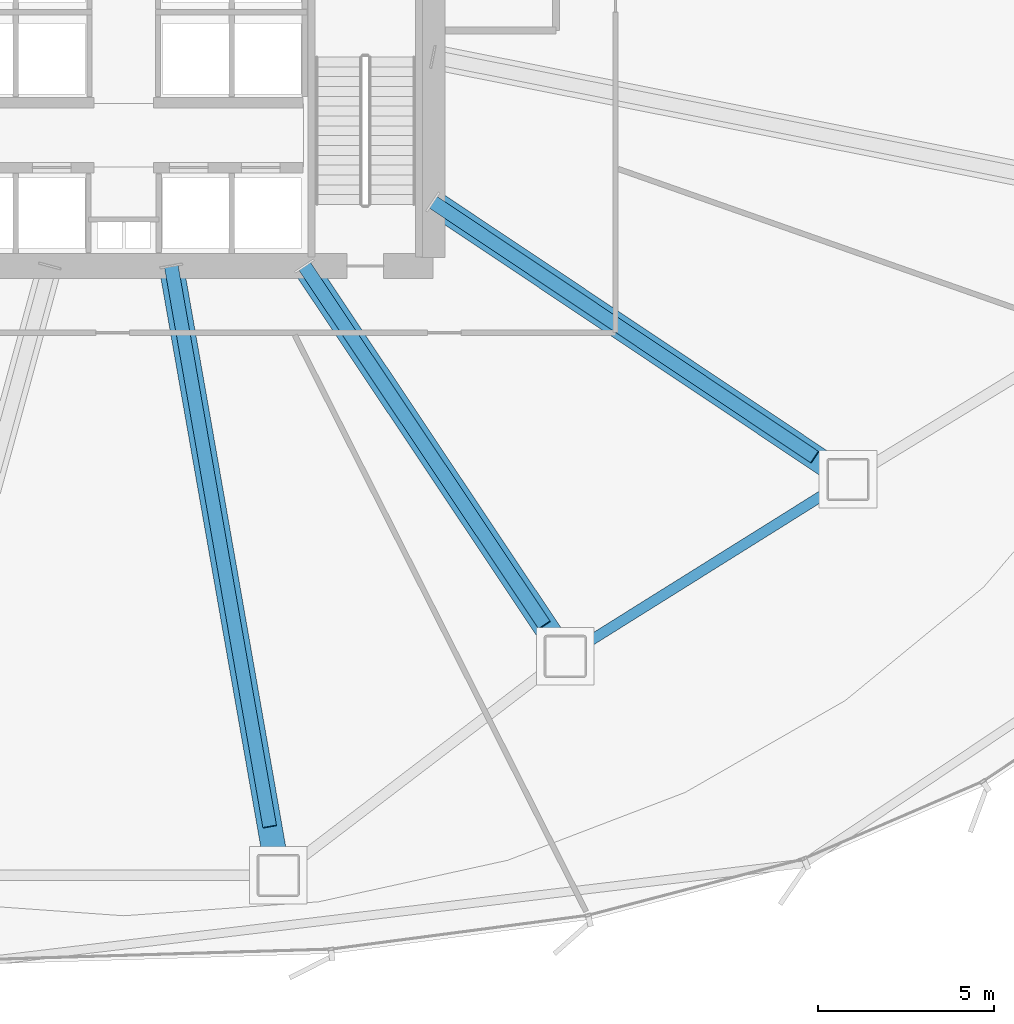
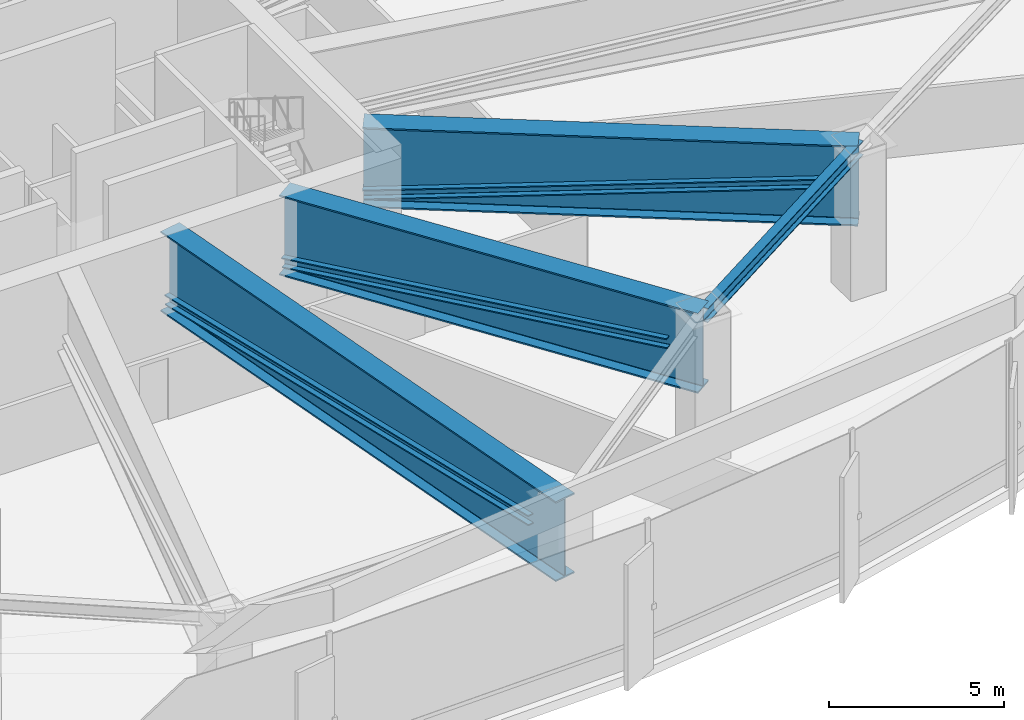
# One storey, part 11 of 36: 4 beams, 3 members.
"""IFC4 building model written with IfcOpenShell, lengths in metres."""

from ifc_helpers import new_model, si_unit, direction, frame, origin, origin_2d, place, context, subcontext, project, spatial, i_section, extrude, source, transform, mapped, material, material_profile, profile_set, type_object, element, save


model = new_model("IFC4")

# Units and contexts
model_context = context("Model", 3, precision=1e-05, world=origin(), true_north=direction((0.0, 1.0)))
body_context = subcontext(model_context, "Body", "Model", "MODEL_VIEW")
ifc_project = project(units=[si_unit("LENGTHUNIT", "METRE"), si_unit("AREAUNIT", "SQUARE_METRE"), si_unit("VOLUMEUNIT", "CUBIC_METRE"), si_unit("PLANEANGLEUNIT", "RADIAN"), si_unit("MASSUNIT", "GRAM", prefix="KILO"), si_unit("THERMODYNAMICTEMPERATUREUNIT", "KELVIN")], contexts=[model_context])

# Site, building, storey
site_placement = place(None, origin())
site = spatial("IfcSite", under=ifc_project, at=site_placement, CompositionType="ELEMENT")
building_placement = place(site_placement, origin())
building = spatial("IfcBuilding", under=site, at=building_placement, Name="Kethvar Cultural Tower", CompositionType="ELEMENT")
storey_placement = place(building_placement, frame((0.0, 0.0, 24.0)))
storey = spatial("IfcBuildingStorey", under=building, at=storey_placement, Name="L05", CompositionType="ELEMENT", Elevation=24.0)

# Beams
ifc_material_1 = material(Name="Steel S355J2", Category="steel")
ifc_material_profile_1 = material_profile(ifc_material_1, i_section(OverallWidth=0.300048828125, OverallDepth=0.5, WebThickness=0.014404296875, FlangeThickness=0.028076171875, FilletRadius=0.027099609375, at=origin_2d()), Name="Steel S355J2 — HEB500")
ifc_profile_set_1 = profile_set([ifc_material_profile_1], Name="Steel S355J2 — HEB500")
beam_type_1 = type_object("IfcBeamType", Name="BM-SP500", PredefinedType="SPANDREL", material=ifc_profile_set_1)
shared_shape_1 = source(origin(), body_context, "Body", "SweptSolid", [
    extrude(i_section(OverallWidth=0.300048828125, OverallDepth=0.5, WebThickness=0.014404296875, FlangeThickness=0.028076171875, FilletRadius=0.027099609375, at=origin_2d()), origin(), (0.0, 0.0, 1.0), 9.493896484375),
])
beam_1_placement = place(storey_placement, frame((59.370361328125, 8.987060546875, 4.865966796875), z_axis=(0.847710685997, 0.530458851228, 0.0), x_axis=(-0.530458851228, 0.847710685997, 0.0)))
element("IfcBeam", 1, at=beam_1_placement, inside=storey, type_object=beam_type_1, Name="L05 Podium Ring Beam 14", PredefinedType="SPANDREL", context=body_context, shape_type="MappedRepresentation", body=[
    mapped(shared_shape_1, transform((0.0, 0.0, 0.0), scale=1.0)),
])
ifc_material_2 = material(Name="Steel S460M", Category="steel")
ifc_material_profile_2 = material_profile(ifc_material_2, i_section(OverallWidth=0.699951171875, OverallDepth=2.800048828125, WebThickness=0.031982421875, FlangeThickness=0.050048828125, FilletRadius=0.02392578125, at=origin_2d()), Name="Steel S460M — PG2800x700x50x32")
ifc_profile_set_2 = profile_set([ifc_material_profile_2], Name="Steel S460M — PG2800x700x50x32")
beam_type_2 = type_object("IfcBeamType", Name="BM-TR2800", PredefinedType="BEAM", material=ifc_profile_set_2)
shared_shape_2 = source(origin(), body_context, "Body", "SweptSolid", [
    extrude(i_section(OverallWidth=0.699951171875, OverallDepth=2.800048828125, WebThickness=0.031982421875, FlangeThickness=0.050048828125, FilletRadius=0.02392578125, at=origin_2d()), origin(), (0.0, 0.0, 1.0), 17.61572265625),
])
beam_2_placement = place(storey_placement, frame((48.152587890625, 20.10009765625, 3.716064453125), z_axis=(0.172991485085, -0.984923319903, 0.0), x_axis=(0.984923319903, 0.172991485085, 0.0)))
element("IfcBeam", 2, at=beam_2_placement, inside=storey, type_object=beam_type_2, Name="L05 Composite Transfer Girder TG-13", PredefinedType="BEAM", context=body_context, shape_type="MappedRepresentation", body=[
    mapped(shared_shape_2, transform((0.0, 0.0, 0.0), scale=1.0)),
])

# Member
ifc_material_profile_3 = material_profile(ifc_material_2, i_section(OverallWidth=0.39306640625, OverallDepth=0.345947265625, WebThickness=0.0244140625, FlangeThickness=0.03759765625, FilletRadius=0.014892578125, at=origin_2d()), Name="Steel S460M — HD400x509")
ifc_profile_set_3 = profile_set([ifc_material_profile_3], Name="Steel S460M — HD400x509")
member_type = type_object("IfcMemberType", Name="MB-TR-DIAG", PredefinedType="BRACE", material=ifc_profile_set_3)
shared_shape_3 = source(origin(), body_context, "Body", "SweptSolid", [
    extrude(i_section(OverallWidth=0.39306640625, OverallDepth=0.345947265625, WebThickness=0.0244140625, FlangeThickness=0.03759765625, FilletRadius=0.014892578125, at=origin_2d()), origin(), (0.0, 0.0, 1.0), 16.236083984375),
])
member_1_placement = place(storey_placement, frame((48.152587890625, 20.10009765625, 2.64990234375), z_axis=(0.172683066472, -0.983123612765, 0.06040298485), x_axis=(0.984922008743, 0.172998949976, 0.0)))
element("IfcMember", 3, at=member_1_placement, inside=storey, type_object=member_type, Name="L05 Transfer Truss Diagonal TD-13", PredefinedType="BRACE", context=body_context, shape_type="MappedRepresentation", body=[
    mapped(shared_shape_3, transform((0.0, 0.0, 0.0), scale=1.0)),
])

# Beam
shared_shape_4 = source(origin(), body_context, "Body", "SweptSolid", [
    extrude(i_section(OverallWidth=0.699951171875, OverallDepth=2.800048828125, WebThickness=0.031982421875, FlangeThickness=0.050048828125, FilletRadius=0.02392578125, at=origin_2d()), origin(), (0.0, 0.0, 1.0), 13.365478515625),
])
beam_3_placement = place(storey_placement, frame((51.945068359375, 20.10009765625, 3.716064453125), z_axis=(0.555559834465, -0.831476560301, 0.0), x_axis=(0.831476560301, 0.555559834465, 0.0)))
element("IfcBeam", 4, at=beam_3_placement, inside=storey, type_object=beam_type_2, Name="L05 Composite Transfer Girder TG-14", PredefinedType="BEAM", context=body_context, shape_type="MappedRepresentation", body=[
    mapped(shared_shape_4, transform((0.0, 0.0, 0.0), scale=1.0)),
])

# Member
shared_shape_5 = source(origin(), body_context, "Body", "SweptSolid", [
    extrude(i_section(OverallWidth=0.39306640625, OverallDepth=0.345947265625, WebThickness=0.0244140625, FlangeThickness=0.03759765625, FilletRadius=0.014892578125, at=origin_2d()), origin(), (0.0, 0.0, 1.0), 12.335205078125),
])
member_2_placement = place(storey_placement, frame((51.945068359375, 20.10009765625, 2.64990234375), z_axis=(0.553807199738, -0.828840431129, 0.079505504498), x_axis=(0.831472518123, 0.555565884127, 0.0)))
element("IfcMember", 5, at=member_2_placement, inside=storey, type_object=member_type, Name="L05 Transfer Truss Diagonal TD-14", PredefinedType="BRACE", context=body_context, shape_type="MappedRepresentation", body=[
    mapped(shared_shape_5, transform((0.0, 0.0, 0.0), scale=1.0)),
])

# Beam
shared_shape_6 = source(origin(), body_context, "Body", "SweptSolid", [
    extrude(i_section(OverallWidth=0.699951171875, OverallDepth=2.800048828125, WebThickness=0.031982421875, FlangeThickness=0.050048828125, FilletRadius=0.02392578125, at=origin_2d()), origin(), (0.0, 0.0, 1.0), 14.2138671875),
])
beam_4_placement = place(storey_placement, frame((55.60009765625, 21.920166015625, 3.716064453125), z_axis=(0.831463197362, -0.555579833537, 0.0), x_axis=(0.555579833537, 0.831463197362, 0.0)))
element("IfcBeam", 6, at=beam_4_placement, inside=storey, type_object=beam_type_2, Name="L05 Composite Transfer Girder TG-15", PredefinedType="BEAM", context=body_context, shape_type="MappedRepresentation", body=[
    mapped(shared_shape_6, transform((0.0, 0.0, 0.0), scale=1.0)),
])

# Member
shared_shape_7 = source(origin(), body_context, "Body", "SweptSolid", [
    extrude(i_section(OverallWidth=0.39306640625, OverallDepth=0.345947265625, WebThickness=0.0244140625, FlangeThickness=0.03759765625, FilletRadius=0.014892578125, at=origin_2d()), origin(), (0.0, 0.0, 1.0), 13.113525390625),
])
member_3_placement = place(storey_placement, frame((55.60009765625, 21.920166015625, 2.64990234375), z_axis=(0.829135396764, -0.554022928863, 0.074786951584), x_axis=(0.555578808073, 0.831463882571, 0.0)))
element("IfcMember", 7, at=member_3_placement, inside=storey, type_object=member_type, Name="L05 Transfer Truss Diagonal TD-15", PredefinedType="BRACE", context=body_context, shape_type="MappedRepresentation", body=[
    mapped(shared_shape_7, transform((0.0, 0.0, 0.0), scale=1.0)),
])

save(model, "model.ifc")
